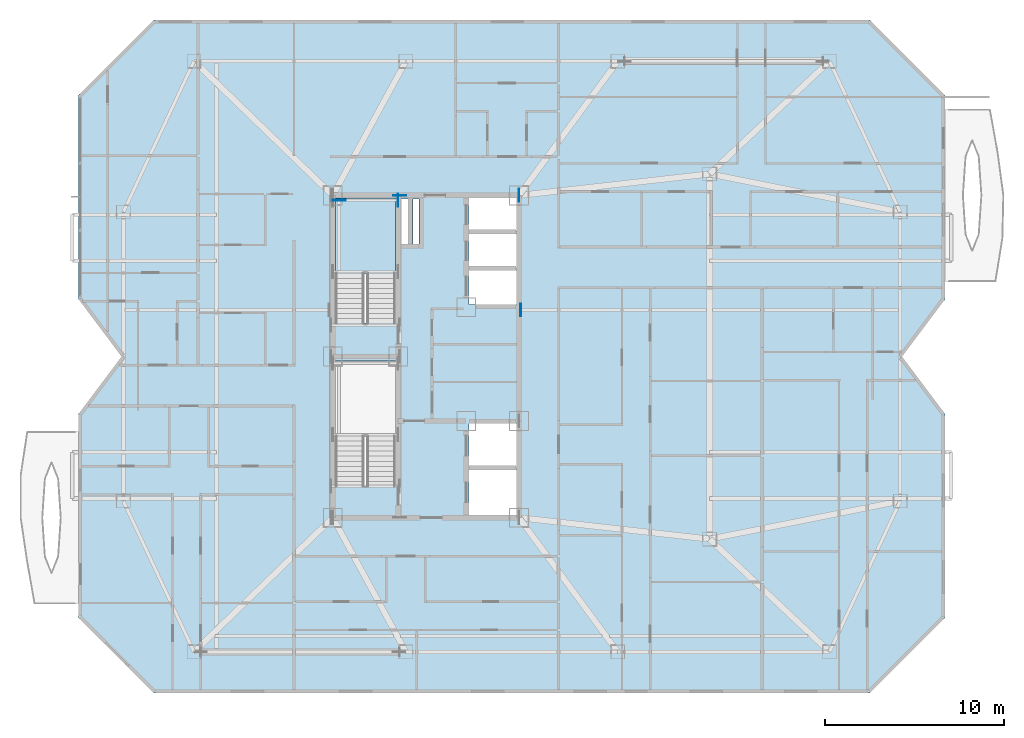
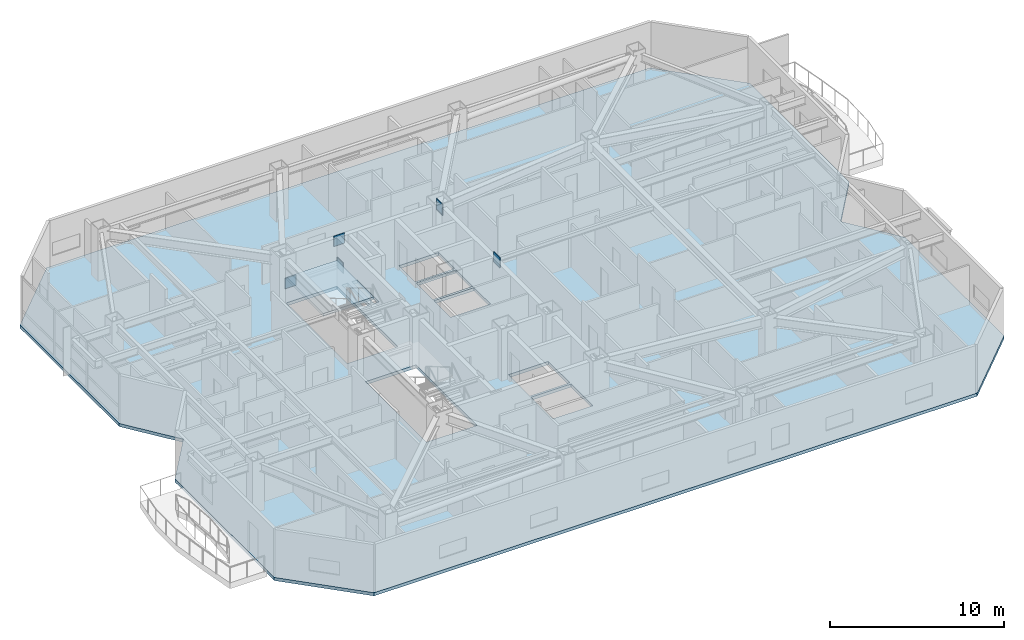
# One storey, part 8 of 20: 6 plates, 2 slabs, 1 element without a shape of its own.
"""IFC4 building model written with IfcOpenShell, lengths in metres."""

from ifc_helpers import new_model, si_unit, direction, frame, origin, origin_2d, place, context, subcontext, project, spatial, polyline, rectangle, outline, extrude, material, layer, layer_set, type_object, element, aggregate, save


model = new_model("IFC4")

# Units and contexts
model_context = context("Model", 3, precision=1e-05, world=origin(), true_north=direction((0.0, 1.0)))
body_context = subcontext(model_context, "Body", "Model", "MODEL_VIEW")
ifc_project = project(units=[si_unit("LENGTHUNIT", "METRE"), si_unit("AREAUNIT", "SQUARE_METRE"), si_unit("VOLUMEUNIT", "CUBIC_METRE"), si_unit("PLANEANGLEUNIT", "RADIAN"), si_unit("MASSUNIT", "GRAM", prefix="KILO")], contexts=[model_context])

# Site, building, storey
site_placement = place(None, origin())
site = spatial("IfcSite", under=ifc_project, at=site_placement, CompositionType="ELEMENT")
building_placement = place(site_placement, origin())
building = spatial("IfcBuilding", under=site, at=building_placement, Name="Khamvora Tower", CompositionType="ELEMENT")
storey_placement = place(building_placement, frame((0.0, 0.0, 203.35009765625)))
storey = spatial("IfcBuildingStorey", under=building, at=storey_placement, Name="L52", CompositionType="ELEMENT", Elevation=203.35009765625)

# Plates
ifc_material_1 = material(Name="Steel S460", Category="steel")
ifc_layer_1 = layer(ifc_material_1, 0.034912109375)
ifc_layer_set_1 = layer_set([ifc_layer_1], Name="Steel S460")
plate_type = type_object("IfcPlateType", Name="PL-EMB-35", PredefinedType="SHEET", material=ifc_layer_set_1)
plate_1_placement = place(storey_placement, frame((32.64990234375, 36.72998046875, 1.1337890625), z_axis=(0.0, 0.0, 1.0), x_axis=(1.0, 0.0, 0.0)))
element("IfcPlate", 1, at=plate_1_placement, inside=storey, type_object=plate_type, Name="L52 core shear wall cast-in embed plate 1513", PredefinedType="SHEET", context=body_context, shape_type="SweptSolid", body=[
    extrude(rectangle(XDim=0.034912109375, YDim=0.719970703125, at=origin_2d()), origin(), (0.0, 0.0, 1.0), 0.719970703125),
])
plate_2_placement = place(storey_placement, frame((29.35009765625, 36.72998046875, 1.1337890625), z_axis=(0.0, 0.0, 1.0), x_axis=(1.0, 0.0, 0.0)))
element("IfcPlate", 2, at=plate_2_placement, inside=storey, type_object=plate_type, Name="L52 core shear wall cast-in embed plate 1514", PredefinedType="SHEET", context=body_context, shape_type="SweptSolid", body=[
    extrude(rectangle(XDim=0.719970703125, YDim=0.034912109375, at=origin_2d()), origin(), (0.0, 0.0, 1.0), 0.719970703125),
])
plate_3_placement = place(storey_placement, frame((39.39990234375, 37.0, 2.6630859375), z_axis=(0.0, 0.0, 1.0), x_axis=(1.0, 0.0, 0.0)))
element("IfcPlate", 3, at=plate_3_placement, inside=storey, type_object=plate_type, Name="L52 core shear wall cast-in embed plate 1518", PredefinedType="SHEET", context=body_context, shape_type="SweptSolid", body=[
    extrude(rectangle(XDim=0.034912109375, YDim=0.719970703125, at=origin_2d()), origin(), (0.0, 0.0, 1.0), 0.719970703125),
])
plate_4_placement = place(storey_placement, frame((32.72998046875, 37.0, 2.74267578125), z_axis=(0.0, 0.0, 1.0), x_axis=(1.0, 0.0, 0.0)))
element("IfcPlate", 4, at=plate_4_placement, inside=storey, type_object=plate_type, Name="L52 core shear wall cast-in embed plate 1524", PredefinedType="SHEET", context=body_context, shape_type="SweptSolid", body=[
    extrude(rectangle(XDim=0.719970703125, YDim=0.034912109375, at=origin_2d()), origin(), (0.0, 0.0, 1.0), 0.719970703125),
])
for number, where, z_axis, x_axis, name in (
    (5, (39.39990234375, 37.0, 2.74267578125), (0.0, 0.0, 1.0), (1.0, 0.0, 0.0), "L52 core shear wall cast-in embed plate 1527"),
    (6, (39.4990234375, 30.60009765625, 2.85400390625), (0.0, 0.0, 1.0), (1.0, 0.0, 0.0), "L52 core shear wall cast-in embed plate 1533"),
):
    element("IfcPlate", number, at=place(storey_placement, frame(where, z_axis=z_axis, x_axis=x_axis)), inside=storey, type_object=plate_type, Name=name, PredefinedType="SHEET", context=body_context, shape_type="SweptSolid", body=[
        extrude(rectangle(XDim=0.034912109375, YDim=0.719970703125, at=origin_2d()), origin(), (0.0, 0.0, 1.0), 0.719970703125),
    ])

# Stair, slab
ifc_material_2 = material(Name="Concrete C40/50", Category="concrete")
stair_type = type_object("IfcStairType", Name="STR-ST-02", PredefinedType="HALF_TURN_STAIR", material=ifc_material_2)
stair_placement = place(storey_placement, origin())
stair = element("IfcStair", 7, at=stair_placement, inside=storey, type_object=stair_type, Name="L52 North Tower Exit Stair ST-02", PredefinedType="HALF_TURN_STAIR")
ifc_layer_2 = layer(ifc_material_2, 0.199951171875)
ifc_layer_set_2 = layer_set([ifc_layer_2], Name="Concrete C40/50")
slab_type_1 = type_object("IfcSlabType", Name="SLB-LND-200", PredefinedType="LANDING", material=ifc_layer_set_2)
slab_1_placement = place(storey_placement, frame((0.0, 0.0, 1.625)))
slab_1 = element("IfcSlab", 8, at=slab_1_placement, type_object=slab_type_1, Name="ST-02 landing 1", PredefinedType="LANDING", context=body_context, shape_type="SweptSolid", body=[
    extrude(outline(polyline([(32.5, 32.614990234375), (32.5, 36.85009765625), (29.14990234375, 36.85009765625), (29.14990234375, 32.614990234375), (32.5, 32.614990234375)])), origin(), (0.0, 0.0, 1.0), 0.199951171875),
])
aggregate(stair, [slab_1])

# Slab
ifc_material_3 = material(Name="Concrete C35/45", Category="concrete")
ifc_layer_3 = layer(ifc_material_3, 0.219970703125)
ifc_layer_set_3 = layer_set([ifc_layer_3], Name="Concrete C35/45")
slab_type_2 = type_object("IfcSlabType", Name="SLB-TYP-220", PredefinedType="FLOOR", material=ifc_layer_set_3)
slab_2_placement = place(storey_placement, frame((0.0, 0.0, -0.22021484375)))
element("IfcSlab", 9, at=slab_2_placement, inside=storey, type_object=slab_type_2, Name="L52 structural floor slab", PredefinedType="FLOOR", context=body_context, shape_type="SweptSolid", body=[
    extrude(outline(polyline([(19.0, 9.199951171875), (59.0, 9.199951171875), (63.199951171875, 13.39990234375), (63.199951171875, 24.800048828125), (60.800048828125, 28.0), (63.199951171875, 31.199951171875), (63.199951171875, 42.60009765625), (59.0, 46.800048828125), (19.0, 46.800048828125), (14.800048828125, 42.60009765625), (14.800048828125, 31.199951171875), (17.199951171875, 28.0), (14.800048828125, 24.800048828125), (14.800048828125, 13.39990234375), (19.0, 9.199951171875)]), holes=[polyline([(32.5, 20.760009765625), (32.5, 27.75), (29.14990234375, 27.75), (29.14990234375, 20.760009765625), (32.5, 20.760009765625)]), polyline([(32.5, 29.860107421875), (32.5, 36.85009765625), (29.14990234375, 36.85009765625), (29.14990234375, 29.860107421875), (32.5, 29.860107421875)]), polyline([(36.60009765625, 19.14990234375), (39.25, 19.14990234375), (39.25, 21.64990234375), (36.60009765625, 21.64990234375), (36.60009765625, 19.14990234375)]), polyline([(36.60009765625, 21.800048828125), (39.25, 21.800048828125), (39.25, 24.25), (36.60009765625, 24.25), (36.60009765625, 21.800048828125)]), polyline([(36.60009765625, 30.89990234375), (39.25, 30.89990234375), (39.25, 32.800048828125), (36.60009765625, 32.800048828125), (36.60009765625, 30.89990234375)]), polyline([(36.60009765625, 32.949951171875), (39.25, 32.949951171875), (39.25, 34.85009765625), (36.60009765625, 34.85009765625), (36.60009765625, 32.949951171875)]), polyline([(36.60009765625, 35.0), (39.25, 35.0), (39.25, 36.85009765625), (36.60009765625, 36.85009765625), (36.60009765625, 35.0)]), polyline([(32.800048828125, 34.300048828125), (33.199951171875, 34.300048828125), (33.199951171875, 36.800048828125), (32.800048828125, 36.800048828125), (32.800048828125, 34.300048828125)]), polyline([(33.47998046875, 34.300048828125), (33.820068359375, 34.300048828125), (33.820068359375, 36.800048828125), (33.47998046875, 36.800048828125), (33.47998046875, 34.300048828125)])]), origin(), (0.0, 0.0, 1.0), 0.22021484375),
])

save(model, "model.ifc")
